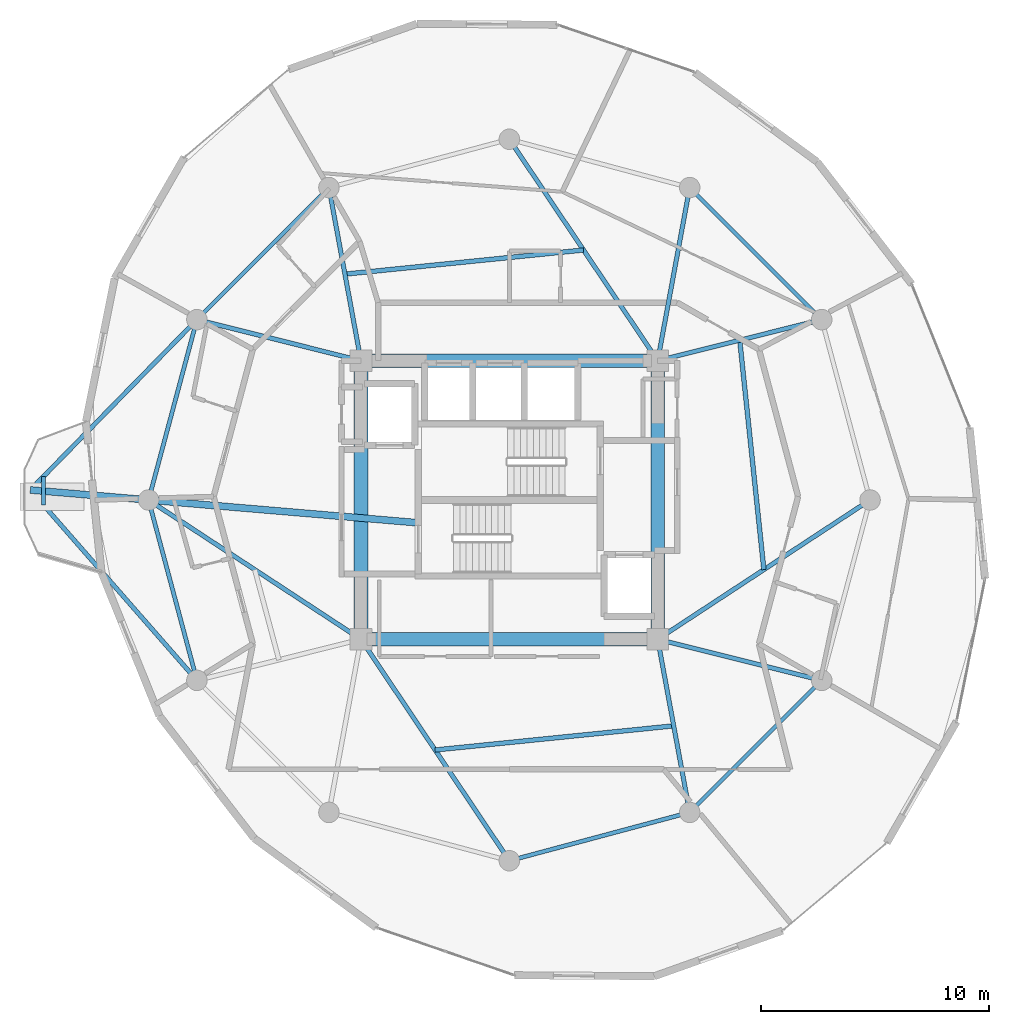
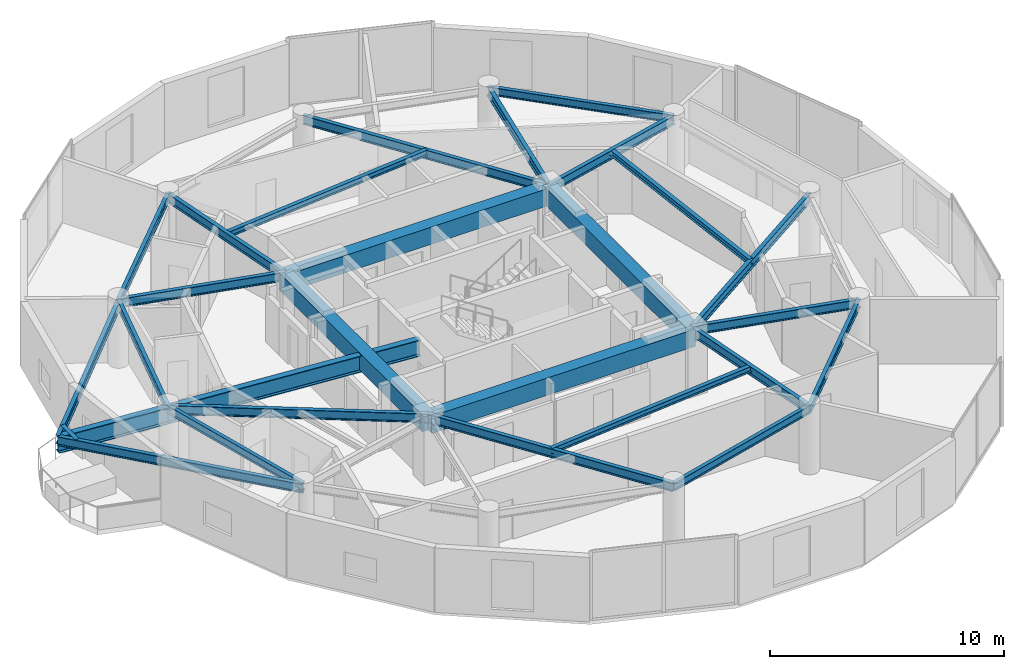
# One storey, part 5 of 17: 28 beams.
"""IFC4 building model written with IfcOpenShell, lengths in metres."""

from ifc_helpers import new_model, si_unit, direction, frame, origin, origin_2d, place, context, subcontext, project, spatial, rectangle, i_section, extrude, material, material_profile, profile_set, type_object, element, save


model = new_model("IFC4")

# Units and contexts
model_context = context("Model", 3, precision=1e-05, world=origin(), true_north=direction((0.0, 1.0)))
body_context = subcontext(model_context, "Body", "Model", "MODEL_VIEW")
ifc_project = project(units=[si_unit("LENGTHUNIT", "METRE"), si_unit("AREAUNIT", "SQUARE_METRE"), si_unit("VOLUMEUNIT", "CUBIC_METRE"), si_unit("PLANEANGLEUNIT", "RADIAN"), si_unit("MASSUNIT", "GRAM", prefix="KILO")], contexts=[model_context])

# Site, building, storey
site_placement = place(None, origin())
site = spatial("IfcSite", under=ifc_project, at=site_placement, CompositionType="ELEMENT")
building_placement = place(site_placement, origin())
building = spatial("IfcBuilding", under=site, at=building_placement, Name="Solvirekh Grand Hotel", CompositionType="ELEMENT")
storey_placement = place(building_placement, frame((0.0, 0.0, 191.199951171875)))
storey = spatial("IfcBuildingStorey", under=building, at=storey_placement, Name="L49", CompositionType="ELEMENT", Elevation=191.199951171875)

# Beams
ifc_material_1 = material(Name="Concrete C50/60", Category="concrete")
ifc_material_profile_1 = material_profile(ifc_material_1, rectangle(XDim=0.60009765625, YDim=0.89990234375, at=origin_2d()), Name="RC BEAM 600X900")
ifc_profile_set_1 = profile_set([ifc_material_profile_1], Name="Concrete C50/60")
beam_type_1 = type_object("IfcBeamType", Name="Beam_Core_RC900", PredefinedType="BEAM", material=ifc_profile_set_1)
beam_1_placement = place(storey_placement, frame((-6.5, -6.10009765625, 2.91015625), z_axis=(1.0, 0.0, 0.0), x_axis=(0.0, 1.0, 0.0)))
element("IfcBeam", 1, at=beam_1_placement, inside=storey, type_object=beam_type_1, Name="L49 core coupling ring beam 1", PredefinedType="BEAM", context=body_context, shape_type="SweptSolid", body=[
    extrude(rectangle(XDim=0.60009765625, YDim=0.89990234375, at=origin_2d()), origin(), (0.0, 0.0, 1.0), 13.0),
])
beam_2_placement = place(storey_placement, frame((6.5, -6.10009765625, 2.91015625), z_axis=(0.0, 1.0, 0.0), x_axis=(-1.0, 0.0, 0.0)))
element("IfcBeam", 2, at=beam_2_placement, inside=storey, type_object=beam_type_1, Name="L49 core coupling ring beam 2", PredefinedType="BEAM", context=body_context, shape_type="SweptSolid", body=[
    extrude(rectangle(XDim=0.60009765625, YDim=0.89990234375, at=origin_2d()), origin(), (0.0, 0.0, 1.0), 12.2001953125),
])
beam_3_placement = place(storey_placement, frame((6.5, 6.10009765625, 2.91015625), z_axis=(-1.0, 0.0, 0.0), x_axis=(0.0, -1.0, 0.0)))
element("IfcBeam", 3, at=beam_3_placement, inside=storey, type_object=beam_type_1, Name="L49 core coupling ring beam 3", PredefinedType="BEAM", context=body_context, shape_type="SweptSolid", body=[
    extrude(rectangle(XDim=0.60009765625, YDim=0.89990234375, at=origin_2d()), origin(), (0.0, 0.0, 1.0), 13.0),
])
beam_4_placement = place(storey_placement, frame((-6.5, 6.10009765625, 2.91015625), z_axis=(0.0, -1.0, 0.0), x_axis=(1.0, 0.0, 0.0)))
element("IfcBeam", 4, at=beam_4_placement, inside=storey, type_object=beam_type_1, Name="L49 core coupling ring beam 4", PredefinedType="BEAM", context=body_context, shape_type="SweptSolid", body=[
    extrude(rectangle(XDim=0.60009765625, YDim=0.89990234375, at=origin_2d()), origin(), (0.0, 0.0, 1.0), 12.2001953125),
])
ifc_material_2 = material(Name="Steel S460", Category="steel")
ifc_material_profile_2 = material_profile(ifc_material_2, i_section(OverallWidth=0.302001953125, OverallDepth=0.85498046875, WebThickness=0.01904296875, FlangeThickness=0.032958984375, FilletRadius=0.01806640625, at=origin_2d()), Name="W840X299")
ifc_profile_set_2 = profile_set([ifc_material_profile_2], Name="Steel S460")
beam_type_2 = type_object("IfcBeamType", Name="Beam_PoolTie_W840", PredefinedType="BEAM", material=ifc_profile_set_2)
beam_5_placement = place(storey_placement, frame((-3.989990234375, -1.0, 2.862060546875), z_axis=(-0.996434353824, 0.084371668939, 0.0), x_axis=(-0.084371668939, -0.996434353824, 0.0)))
element("IfcBeam", 5, at=beam_5_placement, inside=storey, type_object=beam_type_2, Name="L50 sky-garden back-span tie girder", PredefinedType="BEAM", context=body_context, shape_type="SweptSolid", body=[
    extrude(i_section(OverallWidth=0.302001953125, OverallDepth=0.85498046875, WebThickness=0.01904296875, FlangeThickness=0.032958984375, FilletRadius=0.01806640625, at=origin_2d()), origin(), (0.0, 0.0, 1.0), 11.852294921875),
])
beam_6_placement = place(storey_placement, frame((-15.800048828125, 0.0, 2.862060546875), z_axis=(-0.996429844895, 0.084424902744, 0.0), x_axis=(-0.084424902744, -0.996429844895, 0.0)))
element("IfcBeam", 6, at=beam_6_placement, inside=storey, type_object=beam_type_2, Name="L50 sky-garden primary cantilever bracket", PredefinedType="BEAM", context=body_context, shape_type="SweptSolid", body=[
    extrude(i_section(OverallWidth=0.302001953125, OverallDepth=0.85498046875, WebThickness=0.01904296875, FlangeThickness=0.032958984375, FilletRadius=0.01806640625, at=origin_2d()), origin(), (0.0, 0.0, 1.0), 5.199462890625),
])
ifc_material_3 = material(Name="Steel S355", Category="steel")
ifc_material_profile_3 = material_profile(ifc_material_3, i_section(OverallWidth=0.194091796875, OverallDepth=0.468994140625, WebThickness=0.010986328125, FlangeThickness=0.01904296875, FilletRadius=0.012939453125, at=origin_2d()), Name="W460X106")
ifc_profile_set_3 = profile_set([ifc_material_profile_3], Name="Steel S355")
beam_type_3 = type_object("IfcBeamType", Name="Beam_Radial_W460H", PredefinedType="BEAM", material=ifc_profile_set_3)
beam_7_placement = place(storey_placement, frame((6.5, -6.10009765625, 3.1259765625), z_axis=(0.836174064962, 0.548464158432, 0.0), x_axis=(-0.548464158432, 0.836174064962, 0.0)))
element("IfcBeam", 7, at=beam_7_placement, inside=storey, type_object=beam_type_3, Name="L49 radial floor beam R01", PredefinedType="BEAM", context=body_context, shape_type="SweptSolid", body=[
    extrude(i_section(OverallWidth=0.194091796875, OverallDepth=0.468994140625, WebThickness=0.010986328125, FlangeThickness=0.01904296875, FilletRadius=0.012939453125, at=origin_2d()), origin(), (0.0, 0.0, 1.0), 11.1220703125),
])
beam_8_placement = place(storey_placement, frame((6.5, 6.10009765625, 3.1259765625), z_axis=(0.970014367692, 0.243047580675, 0.0), x_axis=(-0.243047580675, 0.970014367692, 0.0)))
element("IfcBeam", 8, at=beam_8_placement, inside=storey, type_object=beam_type_3, Name="L49 radial floor beam R02", PredefinedType="BEAM", context=body_context, shape_type="SweptSolid", body=[
    extrude(i_section(OverallWidth=0.194091796875, OverallDepth=0.468994140625, WebThickness=0.010986328125, FlangeThickness=0.01904296875, FilletRadius=0.012939453125, at=origin_2d()), origin(), (0.0, 0.0, 1.0), 7.4052734375),
])
beam_9_placement = place(storey_placement, frame((6.5, 6.10009765625, 3.1259765625), z_axis=(0.181542769111, 0.983383049978, 0.0), x_axis=(-0.983383049978, 0.181542769111, 0.0)))
element("IfcBeam", 9, at=beam_9_placement, inside=storey, type_object=beam_type_3, Name="L49 radial floor beam R03", PredefinedType="BEAM", context=body_context, shape_type="SweptSolid", body=[
    extrude(i_section(OverallWidth=0.194091796875, OverallDepth=0.468994140625, WebThickness=0.010986328125, FlangeThickness=0.01904296875, FilletRadius=0.012939453125, at=origin_2d()), origin(), (0.0, 0.0, 1.0), 7.711181640625),
])
beam_10_placement = place(storey_placement, frame((6.5, 6.10009765625, 3.1259765625), z_axis=(-0.556676926176, 0.830729077295, 0.0), x_axis=(-0.830729077295, -0.556676926176, 0.0)))
element("IfcBeam", 10, at=beam_10_placement, inside=storey, type_object=beam_type_3, Name="L49 radial floor beam R04", PredefinedType="BEAM", context=body_context, shape_type="SweptSolid", body=[
    extrude(i_section(OverallWidth=0.194091796875, OverallDepth=0.468994140625, WebThickness=0.010986328125, FlangeThickness=0.01904296875, FilletRadius=0.012939453125, at=origin_2d()), origin(), (0.0, 0.0, 1.0), 11.676513671875),
])
beam_11_placement = place(storey_placement, frame((-6.5, 6.10009765625, 3.1259765625), z_axis=(-0.181542769111, 0.983383049978, 0.0), x_axis=(-0.983383049978, -0.181542769111, 0.0)))
element("IfcBeam", 11, at=beam_11_placement, inside=storey, type_object=beam_type_3, Name="L49 radial floor beam R05", PredefinedType="BEAM", context=body_context, shape_type="SweptSolid", body=[
    extrude(i_section(OverallWidth=0.194091796875, OverallDepth=0.468994140625, WebThickness=0.010986328125, FlangeThickness=0.01904296875, FilletRadius=0.012939453125, at=origin_2d()), origin(), (0.0, 0.0, 1.0), 7.711181640625),
])
beam_12_placement = place(storey_placement, frame((-6.5, 6.10009765625, 3.1259765625), z_axis=(-0.970014367692, 0.243047580675, 0.0), x_axis=(-0.243047580675, -0.970014367692, 0.0)))
element("IfcBeam", 12, at=beam_12_placement, inside=storey, type_object=beam_type_3, Name="L49 radial floor beam R06", PredefinedType="BEAM", context=body_context, shape_type="SweptSolid", body=[
    extrude(i_section(OverallWidth=0.194091796875, OverallDepth=0.468994140625, WebThickness=0.010986328125, FlangeThickness=0.01904296875, FilletRadius=0.012939453125, at=origin_2d()), origin(), (0.0, 0.0, 1.0), 7.4052734375),
])
beam_13_placement = place(storey_placement, frame((-6.5, -6.10009765625, 3.1259765625), z_axis=(-0.836174064962, 0.548464158432, 0.0), x_axis=(-0.548464158432, -0.836174064962, 0.0)))
element("IfcBeam", 13, at=beam_13_placement, inside=storey, type_object=beam_type_3, Name="L49 radial floor beam R07", PredefinedType="BEAM", context=body_context, shape_type="SweptSolid", body=[
    extrude(i_section(OverallWidth=0.194091796875, OverallDepth=0.468994140625, WebThickness=0.010986328125, FlangeThickness=0.01904296875, FilletRadius=0.012939453125, at=origin_2d()), origin(), (0.0, 0.0, 1.0), 11.1220703125),
])
beam_14_placement = place(storey_placement, frame((-6.5, -6.10009765625, 3.1259765625), z_axis=(0.556676926176, -0.830729077295, 0.0), x_axis=(0.830729077295, 0.556676926176, 0.0)))
element("IfcBeam", 14, at=beam_14_placement, inside=storey, type_object=beam_type_3, Name="L49 radial floor beam R10", PredefinedType="BEAM", context=body_context, shape_type="SweptSolid", body=[
    extrude(i_section(OverallWidth=0.194091796875, OverallDepth=0.468994140625, WebThickness=0.010986328125, FlangeThickness=0.01904296875, FilletRadius=0.012939453125, at=origin_2d()), origin(), (0.0, 0.0, 1.0), 11.676513671875),
])
beam_15_placement = place(storey_placement, frame((6.5, -6.10009765625, 3.1259765625), z_axis=(0.181542769111, -0.983383049978, 0.0), x_axis=(0.983383049978, 0.181542769111, 0.0)))
element("IfcBeam", 15, at=beam_15_placement, inside=storey, type_object=beam_type_3, Name="L49 radial floor beam R11", PredefinedType="BEAM", context=body_context, shape_type="SweptSolid", body=[
    extrude(i_section(OverallWidth=0.194091796875, OverallDepth=0.468994140625, WebThickness=0.010986328125, FlangeThickness=0.01904296875, FilletRadius=0.012939453125, at=origin_2d()), origin(), (0.0, 0.0, 1.0), 7.711181640625),
])
beam_16_placement = place(storey_placement, frame((6.5, -6.10009765625, 3.1259765625), z_axis=(0.970014367692, -0.243047580675, 0.0), x_axis=(0.243047580675, 0.970014367692, 0.0)))
element("IfcBeam", 16, at=beam_16_placement, inside=storey, type_object=beam_type_3, Name="L49 radial floor beam R12", PredefinedType="BEAM", context=body_context, shape_type="SweptSolid", body=[
    extrude(i_section(OverallWidth=0.194091796875, OverallDepth=0.468994140625, WebThickness=0.010986328125, FlangeThickness=0.01904296875, FilletRadius=0.012939453125, at=origin_2d()), origin(), (0.0, 0.0, 1.0), 7.4052734375),
])
beam_17_placement = place(storey_placement, frame((-13.68310546875, 7.89990234375, 3.05615234375), z_axis=(-0.699250498587, -0.714876730791, 0.0), x_axis=(0.714876730791, -0.699250498587, 0.0)))
element("IfcBeam", 17, at=beam_17_placement, inside=storey, type_object=beam_type_3, Name="L50 sky-garden edge tie beam 1", PredefinedType="BEAM", context=body_context, shape_type="SweptSolid", body=[
    extrude(i_section(OverallWidth=0.194091796875, OverallDepth=0.468994140625, WebThickness=0.010986328125, FlangeThickness=0.01904296875, FilletRadius=0.012939453125, at=origin_2d()), origin(), (0.0, 0.0, 1.0), 10.436767578125),
])
beam_18_placement = place(storey_placement, frame((-13.68310546875, -7.89990234375, 3.05615234375), z_axis=(-0.658573235024, 0.752516640421, 0.0), x_axis=(-0.752516640421, -0.658573235024, 0.0)))
element("IfcBeam", 18, at=beam_18_placement, inside=storey, type_object=beam_type_3, Name="L50 sky-garden edge tie beam 2", PredefinedType="BEAM", context=body_context, shape_type="SweptSolid", body=[
    extrude(i_section(OverallWidth=0.194091796875, OverallDepth=0.468994140625, WebThickness=0.010986328125, FlangeThickness=0.01904296875, FilletRadius=0.012939453125, at=origin_2d()), origin(), (0.0, 0.0, 1.0), 11.081298828125),
])
beam_19_placement = place(storey_placement, frame((-20.404052734375, 1.029052734375, 3.05615234375), z_axis=(0.0, -1.0, 0.0), x_axis=(1.0, 0.0, 0.0)))
element("IfcBeam", 19, at=beam_19_placement, inside=storey, type_object=beam_type_3, Name="L50 sky-garden outer cross trimmer", PredefinedType="BEAM", context=body_context, shape_type="SweptSolid", body=[
    extrude(i_section(OverallWidth=0.194091796875, OverallDepth=0.468994140625, WebThickness=0.010986328125, FlangeThickness=0.01904296875, FilletRadius=0.012939453125, at=origin_2d()), origin(), (0.0, 0.0, 1.0), 1.25),
])
ifc_material_profile_4 = material_profile(ifc_material_3, i_section(OverallWidth=0.202880859375, OverallDepth=0.302978515625, WebThickness=0.008056640625, FlangeThickness=0.012939453125, FilletRadius=0.010009765625, at=origin_2d()), Name="W310X60")
ifc_profile_set_4 = profile_set([ifc_material_profile_4], Name="Steel S355")
beam_type_4 = type_object("IfcBeamType", Name="Joist_Floor_W310", PredefinedType="JOIST", material=ifc_profile_set_4)
beam_20_placement = place(storey_placement, frame((11.14990234375, -3.050048828125, 3.208984375), z_axis=(-0.1047765874, 0.994495785176, 0.0), x_axis=(-0.994495785176, -0.1047765874, 0.0)))
element("IfcBeam", 20, at=beam_20_placement, inside=storey, type_object=beam_type_4, Name="L49 secondary composite floor joist 1", PredefinedType="JOIST", context=body_context, shape_type="SweptSolid", body=[
    extrude(i_section(OverallWidth=0.202880859375, OverallDepth=0.302978515625, WebThickness=0.008056640625, FlangeThickness=0.012939453125, FilletRadius=0.010009765625, at=origin_2d()), origin(), (0.0, 0.0, 1.0), 10.105712890625),
])
for number, where, z_axis, x_axis, name in (
    (21, (3.25, 10.949951171875, 3.208984375), (-0.994915167737, -0.100716478326, 0.0), (0.100716478326, -0.994915167737, 0.0), "L49 secondary composite floor joist 4"),
    (22, (-3.25, -10.949951171875, 3.208984375), (0.994915167737, 0.100716478326, 0.0), (-0.100716478326, 0.994915167737, 0.0), "L49 secondary composite floor joist 10"),
):
    element("IfcBeam", number, at=place(storey_placement, frame(where, z_axis=z_axis, x_axis=x_axis)), inside=storey, type_object=beam_type_4, Name=name, PredefinedType="JOIST", context=body_context, shape_type="SweptSolid", body=[
        extrude(i_section(OverallWidth=0.202880859375, OverallDepth=0.302978515625, WebThickness=0.008056640625, FlangeThickness=0.012939453125, FilletRadius=0.010009765625, at=origin_2d()), origin(), (0.0, 0.0, 1.0), 10.50341796875),
    ])
ifc_material_profile_5 = material_profile(ifc_material_3, i_section(OverallWidth=0.180908203125, OverallDepth=0.4169921875, WebThickness=0.010009765625, FlangeThickness=0.01611328125, FilletRadius=0.011962890625, at=origin_2d()), Name="W410X85")
ifc_profile_set_5 = profile_set([ifc_material_profile_5], Name="Steel S355")
beam_type_5 = type_object("IfcBeamType", Name="Spandrel_Ring_W410", PredefinedType="SPANDREL", material=ifc_profile_set_5)
for number, where, z_axis, x_axis, name in (
    (23, (13.68310546875, 7.89990234375, 3.152099609375), (-0.707106781187, 0.707106781187, 0.0), (-0.707106781187, -0.707106781187, 0.0), "L49 perimeter spandrel beam 2"),
    (24, (-7.89990234375, 13.68310546875, 3.152099609375), (-0.707106781187, -0.707106781187, 0.0), (0.707106781187, -0.707106781187, 0.0), "L49 perimeter spandrel beam 5"),
    (25, (-13.68310546875, 7.89990234375, 3.152099609375), (-0.258838541915, -0.965920601923, 0.0), (0.965920601923, -0.258838541915, 0.0), "L49 perimeter spandrel beam 6"),
    (26, (-15.800048828125, 0.0, 3.152099609375), (0.258838541915, -0.965920601923, 0.0), (0.965920601923, 0.258838541915, 0.0), "L49 perimeter spandrel beam 7"),
    (27, (0.0, -15.800048828125, 3.152099609375), (0.965920601923, 0.258838541915, 0.0), (-0.258838541915, 0.965920601923, 0.0), "L49 perimeter spandrel beam 10"),
    (28, (7.89990234375, -13.68310546875, 3.152099609375), (0.707106781187, 0.707106781187, 0.0), (-0.707106781187, 0.707106781187, 0.0), "L49 perimeter spandrel beam 11"),
):
    element("IfcBeam", number, at=place(storey_placement, frame(where, z_axis=z_axis, x_axis=x_axis)), inside=storey, type_object=beam_type_5, Name=name, PredefinedType="SPANDREL", context=body_context, shape_type="SweptSolid", body=[
        extrude(i_section(OverallWidth=0.180908203125, OverallDepth=0.4169921875, WebThickness=0.010009765625, FlangeThickness=0.01611328125, FilletRadius=0.011962890625, at=origin_2d()), origin(), (0.0, 0.0, 1.0), 8.1787109375),
    ])

save(model, "model.ifc")
